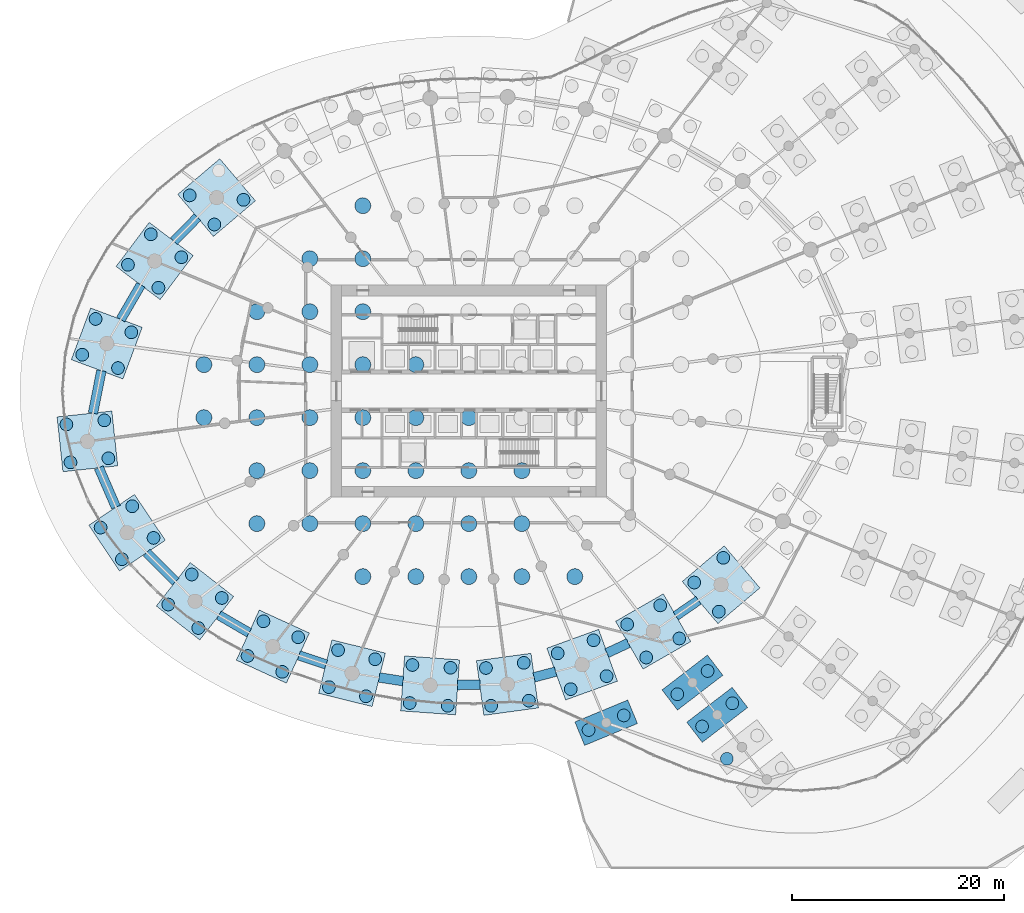
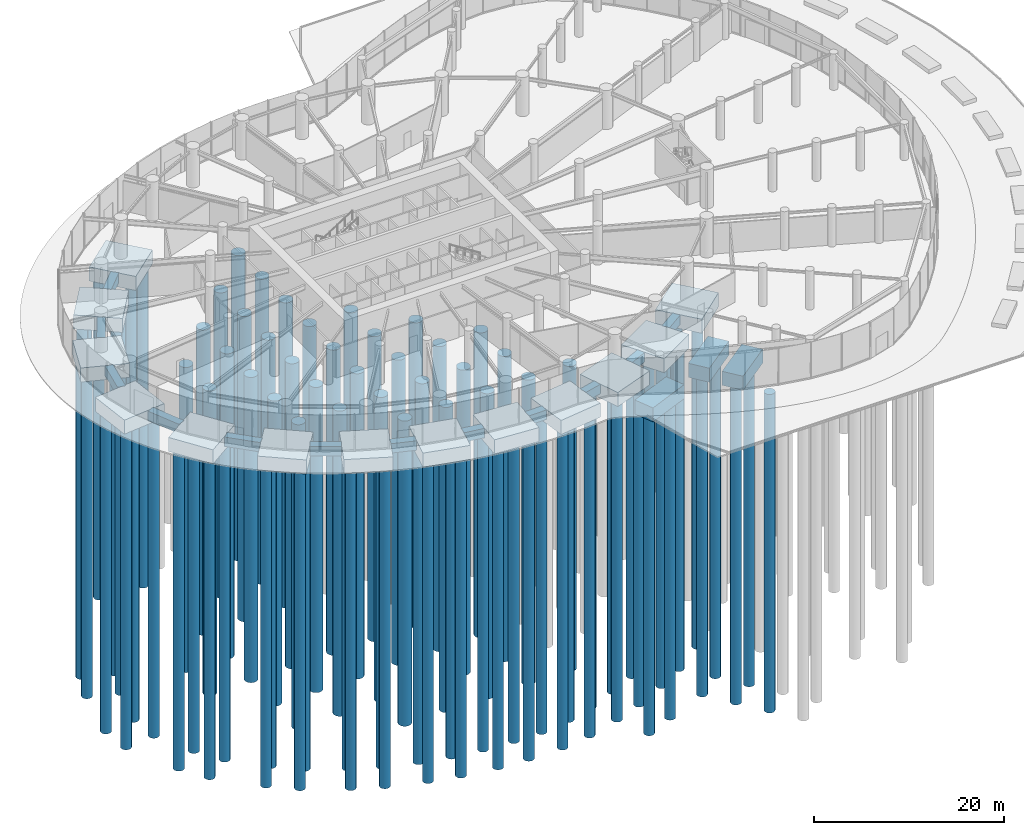
# One storey, part 1 of 28: 91 piles, 28 footings.
"""IFC4 building model written with IfcOpenShell, lengths in metres."""

from ifc_helpers import new_model, si_unit, direction, frame, origin, origin_2d, place, context, subcontext, project, spatial, line, indexed_curve, rectangle, circle, outline, extrude, source, transform, mapped, material, layer, layer_set, material_profile, profile_set, type_object, element, save


model = new_model("IFC4")

# Units and contexts
model_context = context("Model", 3, precision=1e-05, world=origin(), true_north=direction((0.0, 1.0)))
body_context = subcontext(model_context, "Body", "Model", "MODEL_VIEW")
ifc_project = project(units=[si_unit("LENGTHUNIT", "METRE"), si_unit("AREAUNIT", "SQUARE_METRE"), si_unit("VOLUMEUNIT", "CUBIC_METRE"), si_unit("PLANEANGLEUNIT", "RADIAN"), si_unit("MASSUNIT", "GRAM", prefix="KILO")], contexts=[model_context])

# Site, building, storey
site_placement = place(None, origin())
site = spatial("IfcSite", under=ifc_project, at=site_placement, CompositionType="ELEMENT")
building_placement = place(site_placement, origin())
building = spatial("IfcBuilding", under=site, at=building_placement, Name="Spindrift Exchange Tower", CompositionType="ELEMENT")
storey_placement = place(building_placement, origin())
storey = spatial("IfcBuildingStorey", under=building, at=storey_placement, Name="L00", CompositionType="ELEMENT", Elevation=0.0)

# Footings
ifc_material_1 = material(Name="Concrete 50 MPa", Category="concrete")
ifc_layer_1 = layer(ifc_material_1, 1.800048828125)
ifc_layer_set_1 = layer_set([ifc_layer_1], Name="Cascade Pile Cap Concrete 50 MPa")
footing_type_1 = type_object("IfcFootingType", Name="Cascade Pile Cap Concrete 50 MPa", PredefinedType="PILE_CAP", material=ifc_layer_set_1)
footing_1_placement = place(storey_placement, frame((0.0, 0.0, -2.14990234375)))
element("IfcFooting", 1, at=footing_1_placement, inside=storey, type_object=footing_type_1, Name="Pile cap G0-20", PredefinedType="PILE_CAP", context=body_context, shape_type="SweptSolid", body=[
    extrude(outline(indexed_curve([(62.0048828125, 16.7919921875), (66.9931640625, 18.8583984375), (67.912109375, 16.640625), (62.9228515625, 14.57421875)], segments=[line(1, 2, 3, 4, 1)], self_intersect=False)), origin(), (0.0, 0.0, 1.0), 1.7998046875),
])
footing_2_placement = place(storey_placement, frame((0.0, 0.0, -2.14990234375)))
element("IfcFooting", 2, at=footing_2_placement, inside=storey, type_object=footing_type_1, Name="Pile cap G2-21", PredefinedType="PILE_CAP", context=body_context, shape_type="SweptSolid", body=[
    extrude(outline(indexed_curve([(72.5634765625, 16.765625), (76.84765625, 20.052734375), (78.30859375, 18.1484375), (74.0244140625, 14.861328125)], segments=[line(1, 2, 3, 4, 1)], self_intersect=False)), origin(), (0.0, 0.0, 1.0), 1.7998046875),
])
footing_3_placement = place(storey_placement, frame((0.0, 0.0, -2.14990234375)))
element("IfcFooting", 3, at=footing_3_placement, inside=storey, type_object=footing_type_1, Name="Pile cap G3-21", PredefinedType="PILE_CAP", context=body_context, shape_type="SweptSolid", body=[
    extrude(outline(indexed_curve([(70.2265625, 19.810546875), (74.5107421875, 23.0986328125), (75.9716796875, 21.1943359375), (71.6884765625, 17.9072265625)], segments=[line(1, 2, 3, 4, 1)], self_intersect=False)), origin(), (0.0, 0.0, 1.0), 1.7998046875),
])
ifc_layer_2 = layer(ifc_material_1, 1.800048828125)
ifc_layer_set_2 = layer_set([ifc_layer_2], Name="Pile Cap Concrete 50 MPa")
footing_type_2 = type_object("IfcFootingType", Name="Pile Cap Concrete 50 MPa", PredefinedType="PILE_CAP", material=ifc_layer_set_2)
footing_4_placement = place(storey_placement, frame((0.0, 0.0, -2.14990234375)))
element("IfcFooting", 4, at=footing_4_placement, inside=storey, type_object=footing_type_2, Name="Pile cap P1-10", PredefinedType="PILE_CAP", context=body_context, shape_type="SweptSolid", body=[
    extrude(outline(indexed_curve([(28.5, 69.927734375), (24.53515625, 66.5634765625), (27.8994140625, 62.59765625), (31.8642578125, 65.962890625)], segments=[line(1, 2, 3, 4, 1)], self_intersect=False)), origin(), (0.0, 0.0, 1.0), 1.7998046875),
])
footing_5_placement = place(storey_placement, frame((0.0, 0.0, -2.14990234375)))
element("IfcFooting", 5, at=footing_5_placement, inside=storey, type_object=footing_type_2, Name="Pile cap P1-11", PredefinedType="PILE_CAP", context=body_context, shape_type="SweptSolid", body=[
    extrude(outline(indexed_curve([(21.841796875, 63.919921875), (18.71484375, 59.765625), (22.869140625, 56.638671875), (25.99609375, 60.79296875)], segments=[line(1, 2, 3, 4, 1)], self_intersect=False)), origin(), (0.0, 0.0, 1.0), 1.7998046875),
])
footing_6_placement = place(storey_placement, frame((0.0, 0.0, -2.14990234375)))
element("IfcFooting", 6, at=footing_6_placement, inside=storey, type_object=footing_type_2, Name="Pile cap P1-12", PredefinedType="PILE_CAP", context=body_context, shape_type="SweptSolid", body=[
    extrude(outline(indexed_curve([(16.3115234375, 55.841796875), (14.494140625, 50.9697265625), (19.3662109375, 49.15234375), (21.18359375, 54.025390625)], segments=[line(1, 2, 3, 4, 1)], self_intersect=False)), origin(), (0.0, 0.0, 1.0), 1.7998046875),
])
footing_7_placement = place(storey_placement, frame((0.0, 0.0, -2.14990234375)))
element("IfcFooting", 7, at=footing_7_placement, inside=storey, type_object=footing_type_2, Name="Pile cap P1-13", PredefinedType="PILE_CAP", context=body_context, shape_type="SweptSolid", body=[
    extrude(outline(indexed_curve([(13.1474609375, 45.5703125), (13.701171875, 40.3994140625), (18.8720703125, 40.953125), (18.318359375, 46.1240234375)], segments=[line(1, 2, 3, 4, 1)], self_intersect=False)), origin(), (0.0, 0.0, 1.0), 1.7998046875),
])
footing_8_placement = place(storey_placement, frame((0.0, 0.0, -2.14990234375)))
element("IfcFooting", 8, at=footing_8_placement, inside=storey, type_object=footing_type_2, Name="Pile cap P1-14", PredefinedType="PILE_CAP", context=body_context, shape_type="SweptSolid", body=[
    extrude(outline(indexed_curve([(16.142578125, 35.34765625), (19.0458984375, 31.033203125), (23.359375, 33.9365234375), (20.4560546875, 38.2509765625)], segments=[line(1, 2, 3, 4, 1)], self_intersect=False)), origin(), (0.0, 0.0, 1.0), 1.7998046875),
])
footing_9_placement = place(storey_placement, frame((0.0, 0.0, -2.14990234375)))
element("IfcFooting", 9, at=footing_9_placement, inside=storey, type_object=footing_type_2, Name="Pile cap P1-15", PredefinedType="PILE_CAP", context=body_context, shape_type="SweptSolid", body=[
    extrude(outline(indexed_curve([(22.5146484375, 27.7265625), (26.61328125, 24.5263671875), (29.8134765625, 28.625), (25.71484375, 31.8251953125)], segments=[line(1, 2, 3, 4, 1)], self_intersect=False)), origin(), (0.0, 0.0, 1.0), 1.7998046875),
])
footing_10_placement = place(storey_placement, frame((0.0, 0.0, -2.14990234375)))
element("IfcFooting", 10, at=footing_10_placement, inside=storey, type_object=footing_type_2, Name="Pile cap P1-16", PredefinedType="PILE_CAP", context=body_context, shape_type="SweptSolid", body=[
    extrude(outline(indexed_curve([(30.060546875, 22.619140625), (34.7880859375, 20.453125), (36.9541015625, 25.1806640625), (32.2265625, 27.3466796875)], segments=[line(1, 2, 3, 4, 1)], self_intersect=False)), origin(), (0.0, 0.0, 1.0), 1.7998046875),
])
footing_11_placement = place(storey_placement, frame((0.0, 0.0, -2.14990234375)))
element("IfcFooting", 11, at=footing_11_placement, inside=storey, type_object=footing_type_2, Name="Pile cap P1-17", PredefinedType="PILE_CAP", context=body_context, shape_type="SweptSolid", body=[
    extrude(outline(indexed_curve([(37.830078125, 19.4873046875), (42.87890625, 18.2412109375), (44.1240234375, 23.2900390625), (39.076171875, 24.5361328125)], segments=[line(1, 2, 3, 4, 1)], self_intersect=False)), origin(), (0.0, 0.0, 1.0), 1.7998046875),
])
footing_12_placement = place(storey_placement, frame((0.0, 0.0, -2.14990234375)))
element("IfcFooting", 12, at=footing_12_placement, inside=storey, type_object=footing_type_2, Name="Pile cap P1-18", PredefinedType="PILE_CAP", context=body_context, shape_type="SweptSolid", body=[
    extrude(outline(indexed_curve([(45.56640625, 17.8310546875), (50.7529296875, 17.4599609375), (51.1240234375, 22.646484375), (45.9375, 23.017578125)], segments=[line(1, 2, 3, 4, 1)], self_intersect=False)), origin(), (0.0, 0.0, 1.0), 1.7998046875),
])
footing_13_placement = place(storey_placement, frame((0.0, 0.0, -2.14990234375)))
element("IfcFooting", 13, at=footing_13_placement, inside=storey, type_object=footing_type_2, Name="Pile cap P1-19", PredefinedType="PILE_CAP", context=body_context, shape_type="SweptSolid", body=[
    extrude(outline(indexed_curve([(53.416015625, 17.412109375), (58.568359375, 18.11328125), (57.8671875, 23.265625), (52.71484375, 22.564453125)], segments=[line(1, 2, 3, 4, 1)], self_intersect=False)), origin(), (0.0, 0.0, 1.0), 1.7998046875),
])
footing_14_placement = place(storey_placement, frame((0.0, 0.0, -2.14990234375)))
element("IfcFooting", 14, at=footing_14_placement, inside=storey, type_object=footing_type_2, Name="Pile cap P1-20", PredefinedType="PILE_CAP", context=body_context, shape_type="SweptSolid", body=[
    extrude(outline(indexed_curve([(61.1328125, 18.8603515625), (66.021484375, 20.6337890625), (64.248046875, 25.5224609375), (59.359375, 23.7490234375)], segments=[line(1, 2, 3, 4, 1)], self_intersect=False)), origin(), (0.0, 0.0, 1.0), 1.7998046875),
])
footing_15_placement = place(storey_placement, frame((0.0, 0.0, -2.14990234375)))
element("IfcFooting", 15, at=footing_15_placement, inside=storey, type_object=footing_type_2, Name="Pile cap P1-21", PredefinedType="PILE_CAP", context=body_context, shape_type="SweptSolid", body=[
    extrude(outline(indexed_curve([(68.4404296875, 21.7783203125), (72.947265625, 24.3720703125), (70.3525390625, 28.87890625), (65.8466796875, 26.28515625)], segments=[line(1, 2, 3, 4, 1)], self_intersect=False)), origin(), (0.0, 0.0, 1.0), 1.7998046875),
])
footing_16_placement = place(storey_placement, frame((0.0, 0.0, -2.14990234375)))
element("IfcFooting", 16, at=footing_16_placement, inside=storey, type_object=footing_type_2, Name="Pile cap P1-22", PredefinedType="PILE_CAP", context=body_context, shape_type="SweptSolid", body=[
    extrude(outline(indexed_curve([(75.5, 26.072265625), (79.46484375, 29.4365234375), (76.1005859375, 33.40234375), (72.1357421875, 30.037109375)], segments=[line(1, 2, 3, 4, 1)], self_intersect=False)), origin(), (0.0, 0.0, 1.0), 1.7998046875),
])

# Piles
ifc_material_2 = material(Name="Concrete 40 MPa", Category="concrete")
ifc_material_profile_1 = material_profile(ifc_material_2, circle(Radius=0.75, at=origin_2d()), Name="BP D1500")
ifc_profile_set_1 = profile_set([ifc_material_profile_1], Name="Concrete 40 MPa")
pile_type_1 = type_object("IfcPileType", Name="Bored Pile D1500 Concrete 40 MPa", PredefinedType="BORED", material=ifc_profile_set_1)
shared_shape_1 = source(origin(), body_context, "Body", "SweptSolid", [
    extrude(circle(Radius=0.75, at=origin_2d()), origin(), (0.0, 0.0, 1.0), 39.14990234375),
])
for number, where, z_axis, x_axis, name in (
    (17, (27.0, 45.5, -3.85009765625), (0.0, 0.0, -1.0), (1.0, 0.0, 0.0), "Bored pile R001"),
    (18, (27.0, 50.5, -3.85009765625), (0.0, 0.0, -1.0), (1.0, 0.0, 0.0), "Bored pile R002"),
    (19, (32.0, 35.5, -3.85009765625), (0.0, 0.0, -1.0), (1.0, 0.0, 0.0), "Bored pile R003"),
    (20, (32.0, 40.5, -3.85009765625), (0.0, 0.0, -1.0), (1.0, 0.0, 0.0), "Bored pile R004"),
    (21, (32.0, 45.5, -3.85009765625), (0.0, 0.0, -1.0), (1.0, 0.0, 0.0), "Bored pile R005"),
    (22, (32.0, 50.5, -3.85009765625), (0.0, 0.0, -1.0), (1.0, 0.0, 0.0), "Bored pile R006"),
    (23, (32.0, 55.5, -3.85009765625), (0.0, 0.0, -1.0), (1.0, 0.0, 0.0), "Bored pile R007"),
    (24, (37.0, 35.5, -3.85009765625), (0.0, 0.0, -1.0), (1.0, 0.0, 0.0), "Bored pile R008"),
    (25, (37.0, 40.5, -3.85009765625), (0.0, 0.0, -1.0), (1.0, 0.0, 0.0), "Bored pile R009"),
    (26, (37.0, 45.5, -3.85009765625), (0.0, 0.0, -1.0), (1.0, 0.0, 0.0), "Bored pile R010"),
    (27, (37.0, 50.5, -3.85009765625), (0.0, 0.0, -1.0), (1.0, 0.0, 0.0), "Bored pile R011"),
    (28, (37.0, 55.5, -3.85009765625), (0.0, 0.0, -1.0), (1.0, 0.0, 0.0), "Bored pile R012"),
    (29, (37.0, 60.5, -3.85009765625), (0.0, 0.0, -1.0), (1.0, 0.0, 0.0), "Bored pile R013"),
    (30, (42.0, 30.5, -3.85009765625), (0.0, 0.0, -1.0), (1.0, 0.0, 0.0), "Bored pile R014"),
    (31, (42.0, 35.5, -3.85009765625), (0.0, 0.0, -1.0), (1.0, 0.0, 0.0), "Bored pile R015"),
    (32, (42.0, 40.5, -3.85009765625), (0.0, 0.0, -1.0), (1.0, 0.0, 0.0), "Bored pile R016"),
    (33, (42.0, 45.5, -3.85009765625), (0.0, 0.0, -1.0), (1.0, 0.0, 0.0), "Bored pile R017"),
    (34, (42.0, 50.5, -3.85009765625), (0.0, 0.0, -1.0), (1.0, 0.0, 0.0), "Bored pile R018"),
    (35, (42.0, 55.5, -3.85009765625), (0.0, 0.0, -1.0), (1.0, 0.0, 0.0), "Bored pile R019"),
    (36, (42.0, 60.5, -3.85009765625), (0.0, 0.0, -1.0), (1.0, 0.0, 0.0), "Bored pile R020"),
    (37, (42.0, 65.5, -3.85009765625), (0.0, 0.0, -1.0), (1.0, 0.0, 0.0), "Bored pile R021"),
    (38, (47.0, 30.5, -3.85009765625), (0.0, 0.0, -1.0), (1.0, 0.0, 0.0), "Bored pile R022"),
    (39, (47.0, 35.5, -3.85009765625), (0.0, 0.0, -1.0), (1.0, 0.0, 0.0), "Bored pile R023"),
    (40, (47.0, 40.5, -3.85009765625), (0.0, 0.0, -1.0), (1.0, 0.0, 0.0), "Bored pile R024"),
    (41, (47.0, 45.5, -3.85009765625), (0.0, 0.0, -1.0), (1.0, 0.0, 0.0), "Bored pile R025"),
    (42, (47.0, 50.5, -3.85009765625), (0.0, 0.0, -1.0), (1.0, 0.0, 0.0), "Bored pile R026"),
    (43, (52.0, 30.5, -3.85009765625), (0.0, 0.0, -1.0), (1.0, 0.0, 0.0), "Bored pile R030"),
    (44, (52.0, 35.5, -3.85009765625), (0.0, 0.0, -1.0), (1.0, 0.0, 0.0), "Bored pile R031"),
    (45, (52.0, 40.5, -3.85009765625), (0.0, 0.0, -1.0), (1.0, 0.0, 0.0), "Bored pile R032"),
    (46, (52.0, 45.5, -3.85009765625), (0.0, 0.0, -1.0), (1.0, 0.0, 0.0), "Bored pile R033"),
    (47, (57.0, 30.5, -3.85009765625), (0.0, 0.0, -1.0), (1.0, 0.0, 0.0), "Bored pile R038"),
    (48, (57.0, 35.5, -3.85009765625), (0.0, 0.0, -1.0), (1.0, 0.0, 0.0), "Bored pile R039"),
    (49, (57.0, 40.5, -3.85009765625), (0.0, 0.0, -1.0), (1.0, 0.0, 0.0), "Bored pile R040"),
    (50, (62.0, 30.5, -3.85009765625), (0.0, 0.0, -1.0), (1.0, 0.0, 0.0), "Bored pile R046"),
):
    element("IfcPile", number, at=place(storey_placement, frame(where, z_axis=z_axis, x_axis=x_axis)), inside=storey, type_object=pile_type_1, Name=name, PredefinedType="BORED", context=body_context, shape_type="MappedRepresentation", body=[
        mapped(shared_shape_1, transform((0.0, 0.0, 0.0), scale=1.0)),
    ])
ifc_material_profile_2 = material_profile(ifc_material_2, circle(Radius=0.60009765625, at=origin_2d()), Name="BP D1200")
ifc_profile_set_2 = profile_set([ifc_material_profile_2], Name="Concrete 40 MPa")
pile_type_2 = type_object("IfcPileType", Name="Bored Pile D1200 Concrete 40 MPa", PredefinedType="BORED", material=ifc_profile_set_2)
shared_shape_2 = source(origin(), body_context, "Body", "SweptSolid", [
    extrude(circle(Radius=0.60009765625, at=origin_2d()), origin(), (0.0, 0.0, 1.0), 40.85009765625),
])
for number, where, z_axis, x_axis, name in (
    (51, (25.662353515625, 66.470703125, -2.14990234375), (0.0, 0.0, -1.0), (1.0, 0.0, 0.0), "Bored pile P1-10-2"),
    (52, (27.991455078125, 63.7255859375, -2.14990234375), (0.0, 0.0, -1.0), (1.0, 0.0, 0.0), "Bored pile P1-10-3"),
    (53, (30.736572265625, 66.054931640625, -2.14990234375), (0.0, 0.0, -1.0), (1.0, 0.0, 0.0), "Bored pile P1-10-4"),
    (54, (21.999755859375, 62.7998046875, -2.14990234375), (0.0, 0.0, -1.0), (1.0, 0.0, 0.0), "Bored pile P1-11-1"),
    (55, (19.8349609375, 59.923583984375, -2.14990234375), (0.0, 0.0, -1.0), (1.0, 0.0, 0.0), "Bored pile P1-11-2"),
    (56, (22.711181640625, 57.758544921875, -2.14990234375), (0.0, 0.0, -1.0), (1.0, 0.0, 0.0), "Bored pile P1-11-3"),
    (57, (24.876220703125, 60.635009765625, -2.14990234375), (0.0, 0.0, -1.0), (1.0, 0.0, 0.0), "Bored pile P1-11-4"),
    (58, (16.78125, 54.81298828125, -2.14990234375), (0.0, 0.0, -1.0), (1.0, 0.0, 0.0), "Bored pile P1-12-1"),
    (59, (15.523193359375, 51.439697265625, -2.14990234375), (0.0, 0.0, -1.0), (1.0, 0.0, 0.0), "Bored pile P1-12-2"),
    (60, (18.896484375, 50.181884765625, -2.14990234375), (0.0, 0.0, -1.0), (1.0, 0.0, 0.0), "Bored pile P1-12-3"),
    (61, (20.154296875, 53.554931640625, -2.14990234375), (0.0, 0.0, -1.0), (1.0, 0.0, 0.0), "Bored pile P1-12-4"),
    (62, (14.0283203125, 44.85986328125, -2.14990234375), (0.0, 0.0, -1.0), (1.0, 0.0, 0.0), "Bored pile P1-13-1"),
    (63, (14.41162109375, 41.280517578125, -2.14990234375), (0.0, 0.0, -1.0), (1.0, 0.0, 0.0), "Bored pile P1-13-2"),
    (64, (17.990966796875, 41.663818359375, -2.14990234375), (0.0, 0.0, -1.0), (1.0, 0.0, 0.0), "Bored pile P1-13-3"),
    (65, (17.607666015625, 45.2431640625, -2.14990234375), (0.0, 0.0, -1.0), (1.0, 0.0, 0.0), "Bored pile P1-13-4"),
    (66, (17.252685546875, 35.130126953125, -2.14990234375), (0.0, 0.0, -1.0), (1.0, 0.0, 0.0), "Bored pile P1-14-1"),
    (67, (19.262939453125, 32.143798828125, -2.14990234375), (0.0, 0.0, -1.0), (1.0, 0.0, 0.0), "Bored pile P1-14-2"),
    (68, (22.24951171875, 34.154052734375, -2.14990234375), (0.0, 0.0, -1.0), (1.0, 0.0, 0.0), "Bored pile P1-14-3"),
    (69, (20.2392578125, 37.140380859375, -2.14990234375), (0.0, 0.0, -1.0), (1.0, 0.0, 0.0), "Bored pile P1-14-4"),
    (70, (23.637939453125, 27.86474609375, -2.14990234375), (0.0, 0.0, -1.0), (1.0, 0.0, 0.0), "Bored pile P1-15-1"),
    (71, (26.475341796875, 25.649169921875, -2.14990234375), (0.0, 0.0, -1.0), (1.0, 0.0, 0.0), "Bored pile P1-15-2"),
    (72, (28.69091796875, 28.486572265625, -2.14990234375), (0.0, 0.0, -1.0), (1.0, 0.0, 0.0), "Bored pile P1-15-3"),
    (73, (25.853515625, 30.7021484375, -2.14990234375), (0.0, 0.0, -1.0), (1.0, 0.0, 0.0), "Bored pile P1-15-4"),
    (74, (31.12158203125, 23.013671875, -2.14990234375), (0.0, 0.0, -1.0), (1.0, 0.0, 0.0), "Bored pile P1-16-1"),
    (75, (34.394287109375, 21.51416015625, -2.14990234375), (0.0, 0.0, -1.0), (1.0, 0.0, 0.0), "Bored pile P1-16-2"),
    (76, (35.893798828125, 24.786865234375, -2.14990234375), (0.0, 0.0, -1.0), (1.0, 0.0, 0.0), "Bored pile P1-16-3"),
    (77, (32.62109375, 26.28662109375, -2.14990234375), (0.0, 0.0, -1.0), (1.0, 0.0, 0.0), "Bored pile P1-16-4"),
    (78, (38.79833984375, 20.072265625, -2.14990234375), (0.0, 0.0, -1.0), (1.0, 0.0, 0.0), "Bored pile P1-17-1"),
    (79, (42.29345703125, 19.209716796875, -2.14990234375), (0.0, 0.0, -1.0), (1.0, 0.0, 0.0), "Bored pile P1-17-2"),
    (80, (43.156005859375, 22.704833984375, -2.14990234375), (0.0, 0.0, -1.0), (1.0, 0.0, 0.0), "Bored pile P1-17-3"),
    (81, (39.660888671875, 23.5673828125, -2.14990234375), (0.0, 0.0, -1.0), (1.0, 0.0, 0.0), "Bored pile P1-17-4"),
    (82, (46.421142578125, 18.57177734375, -2.14990234375), (0.0, 0.0, -1.0), (1.0, 0.0, 0.0), "Bored pile P1-18-1"),
    (83, (50.011962890625, 18.314697265625, -2.14990234375), (0.0, 0.0, -1.0), (1.0, 0.0, 0.0), "Bored pile P1-18-2"),
    (84, (50.26904296875, 21.905517578125, -2.14990234375), (0.0, 0.0, -1.0), (1.0, 0.0, 0.0), "Bored pile P1-18-3"),
    (85, (46.67822265625, 22.16259765625, -2.14990234375), (0.0, 0.0, -1.0), (1.0, 0.0, 0.0), "Bored pile P1-18-4"),
    (86, (54.100830078125, 18.3125, -2.14990234375), (0.0, 0.0, -1.0), (1.0, 0.0, 0.0), "Bored pile P1-19-1"),
    (87, (57.66796875, 18.7978515625, -2.14990234375), (0.0, 0.0, -1.0), (1.0, 0.0, 0.0), "Bored pile P1-19-2"),
    (88, (57.1826171875, 22.364990234375, -2.14990234375), (0.0, 0.0, -1.0), (1.0, 0.0, 0.0), "Bored pile P1-19-3"),
    (89, (53.615478515625, 21.87939453125, -2.14990234375), (0.0, 0.0, -1.0), (1.0, 0.0, 0.0), "Bored pile P1-19-4"),
    (90, (61.612060546875, 19.885498046875, -2.14990234375), (0.0, 0.0, -1.0), (1.0, 0.0, 0.0), "Bored pile P1-20-1"),
    (91, (64.99609375, 21.113037109375, -2.14990234375), (0.0, 0.0, -1.0), (1.0, 0.0, 0.0), "Bored pile P1-20-2"),
    (92, (63.7685546875, 24.497314453125, -2.14990234375), (0.0, 0.0, -1.0), (1.0, 0.0, 0.0), "Bored pile P1-20-3"),
    (93, (60.384521484375, 23.269775390625, -2.14990234375), (0.0, 0.0, -1.0), (1.0, 0.0, 0.0), "Bored pile P1-20-4"),
    (94, (68.734619140625, 22.870361328125, -2.14990234375), (0.0, 0.0, -1.0), (1.0, 0.0, 0.0), "Bored pile P1-21-1"),
    (95, (71.8544921875, 24.666259765625, -2.14990234375), (0.0, 0.0, -1.0), (1.0, 0.0, 0.0), "Bored pile P1-21-2"),
    (96, (70.05859375, 27.786376953125, -2.14990234375), (0.0, 0.0, -1.0), (1.0, 0.0, 0.0), "Bored pile P1-21-3"),
    (97, (66.938720703125, 25.990478515625, -2.14990234375), (0.0, 0.0, -1.0), (1.0, 0.0, 0.0), "Bored pile P1-21-4"),
    (98, (75.5927734375, 27.2001953125, -2.14990234375), (0.0, 0.0, -1.0), (1.0, 0.0, 0.0), "Bored pile P1-22-1"),
    (99, (76.008544921875, 32.2744140625, -2.14990234375), (0.0, 0.0, -1.0), (1.0, 0.0, 0.0), "Bored pile P1-22-3"),
    (100, (73.263427734375, 29.945068359375, -2.14990234375), (0.0, 0.0, -1.0), (1.0, 0.0, 0.0), "Bored pile P1-22-4"),
    (101, (63.295166015625, 16.027587890625, -2.14990234375), (0.0, 0.0, -1.0), (1.0, 0.0, 0.0), "Bored pile G0-20-1"),
    (102, (66.62109375, 17.4052734375, -2.14990234375), (0.0, 0.0, -1.0), (1.0, 0.0, 0.0), "Bored pile G0-20-2"),
    (103, (76.344970703125, 13.316162109375, -2.14990234375), (0.0, 0.0, -1.0), (1.0, 0.0, 0.0), "Bored pile G1-21-1"),
    (104, (74.00830078125, 16.361328125, -2.14990234375), (0.0, 0.0, -1.0), (1.0, 0.0, 0.0), "Bored pile G2-21-1"),
    (105, (76.8642578125, 18.552978515625, -2.14990234375), (0.0, 0.0, -1.0), (1.0, 0.0, 0.0), "Bored pile G2-21-2"),
    (106, (71.67138671875, 19.40673828125, -2.14990234375), (0.0, 0.0, -1.0), (1.0, 0.0, 0.0), "Bored pile G3-21-1"),
    (107, (74.527587890625, 21.598388671875, -2.14990234375), (0.0, 0.0, -1.0), (1.0, 0.0, 0.0), "Bored pile G3-21-2"),
):
    element("IfcPile", number, at=place(storey_placement, frame(where, z_axis=z_axis, x_axis=x_axis)), inside=storey, type_object=pile_type_2, Name=name, PredefinedType="BORED", context=body_context, shape_type="MappedRepresentation", body=[
        mapped(shared_shape_2, transform((0.0, 0.0, 0.0), scale=1.0)),
    ])

# Footings
ifc_material_profile_3 = material_profile(ifc_material_1, rectangle(XDim=0.89990234375, YDim=1.199951171875, at=origin_2d()), Name="RC 900x1200")
ifc_profile_set_3 = profile_set([ifc_material_profile_3], Name="Concrete 50 MPa")
footing_type_3 = type_object("IfcFootingType", Name="Ground Tie Beam Concrete 50 MPa", PredefinedType="FOOTING_BEAM", material=ifc_profile_set_3)
shared_shape_3 = source(origin(), body_context, "Body", "SweptSolid", [
    extrude(rectangle(XDim=0.89990234375, YDim=1.199951171875, at=origin_2d()), origin(), (0.0, 0.0, 1.0), 4.068603515625),
])
footing_17_placement = place(storey_placement, frame((17.086181640625, 40.781494140625, -0.949951171875), z_axis=(0.398195059831, -0.917300765467, 0.0), x_axis=(0.917300765467, 0.398195059831, 0.0)))
element("IfcFooting", 108, at=footing_17_placement, inside=storey, type_object=footing_type_3, Name="Ground tie beam TB13", PredefinedType="FOOTING_BEAM", context=body_context, shape_type="MappedRepresentation", body=[
    mapped(shared_shape_3, transform((0.0, 0.0, 0.0), scale=1.0)),
])
shared_shape_4 = source(origin(), body_context, "Body", "SweptSolid", [
    extrude(rectangle(XDim=0.89990234375, YDim=1.199951171875, at=origin_2d()), origin(), (0.0, 0.0, 1.0), 3.87939453125),
])
footing_18_placement = place(storey_placement, frame((21.60107421875, 32.77685546875, -0.949951171875), z_axis=(0.704174270527, -0.710027180274, 0.0), x_axis=(0.710027180274, 0.704174270527, 0.0)))
element("IfcFooting", 109, at=footing_18_placement, inside=storey, type_object=footing_type_3, Name="Ground tie beam TB14", PredefinedType="FOOTING_BEAM", context=body_context, shape_type="MappedRepresentation", body=[
    mapped(shared_shape_4, transform((0.0, 0.0, 0.0), scale=1.0)),
])
shared_shape_5 = source(origin(), body_context, "Body", "SweptSolid", [
    extrude(rectangle(XDim=0.89990234375, YDim=1.199951171875, at=origin_2d()), origin(), (0.0, 0.0, 1.0), 3.30078125),
])
footing_19_placement = place(storey_placement, frame((28.414794921875, 26.865478515625, -0.949951171875), z_axis=(0.864186373898, -0.503171850533, 0.0), x_axis=(0.503171850533, 0.864186373898, 0.0)))
element("IfcFooting", 110, at=footing_19_placement, inside=storey, type_object=footing_type_3, Name="Ground tie beam TB15", PredefinedType="FOOTING_BEAM", context=body_context, shape_type="MappedRepresentation", body=[
    mapped(shared_shape_5, transform((0.0, 0.0, 0.0), scale=1.0)),
])
shared_shape_6 = source(origin(), body_context, "Body", "SweptSolid", [
    extrude(rectangle(XDim=0.89990234375, YDim=1.199951171875, at=origin_2d()), origin(), (0.0, 0.0, 1.0), 2.697265625),
])
footing_20_placement = place(storey_placement, frame((35.966796875, 23.073486328125, -0.949951171875), z_axis=(0.947829062971, -0.318779025953, 0.0), x_axis=(0.318779025953, 0.947829062971, 0.0)))
element("IfcFooting", 111, at=footing_20_placement, inside=storey, type_object=footing_type_3, Name="Ground tie beam TB16", PredefinedType="FOOTING_BEAM", context=body_context, shape_type="MappedRepresentation", body=[
    mapped(shared_shape_6, transform((0.0, 0.0, 0.0), scale=1.0)),
])
shared_shape_7 = source(origin(), body_context, "Body", "SweptSolid", [
    extrude(rectangle(XDim=0.89990234375, YDim=1.199951171875, at=origin_2d()), origin(), (0.0, 0.0, 1.0), 2.2783203125),
])
footing_21_placement = place(storey_placement, frame((43.5361328125, 20.9892578125, -0.949951171875), z_axis=(0.988038579909, -0.15420688899, 0.0), x_axis=(0.15420688899, 0.988038579909, 0.0)))
element("IfcFooting", 112, at=footing_21_placement, inside=storey, type_object=footing_type_3, Name="Ground tie beam TB17", PredefinedType="FOOTING_BEAM", context=body_context, shape_type="MappedRepresentation", body=[
    mapped(shared_shape_7, transform((0.0, 0.0, 0.0), scale=1.0)),
])
shared_shape_8 = source(origin(), body_context, "Body", "SweptSolid", [
    extrude(rectangle(XDim=0.89990234375, YDim=1.199951171875, at=origin_2d()), origin(), (0.0, 0.0, 1.0), 2.1083984375),
])
footing_22_placement = place(storey_placement, frame((50.934326171875, 20.274169921875, -0.949951171875), z_axis=(0.99990664265, 0.013664039818, 0.0), x_axis=(-0.013664039818, 0.99990664265, 0.0)))
element("IfcFooting", 113, at=footing_22_placement, inside=storey, type_object=footing_type_3, Name="Ground tie beam TB18", PredefinedType="FOOTING_BEAM", context=body_context, shape_type="MappedRepresentation", body=[
    mapped(shared_shape_8, transform((0.0, 0.0, 0.0), scale=1.0)),
])
shared_shape_9 = source(origin(), body_context, "Body", "SweptSolid", [
    extrude(rectangle(XDim=0.89990234375, YDim=1.199951171875, at=origin_2d()), origin(), (0.0, 0.0, 1.0), 2.09765625),
])
footing_23_placement = place(storey_placement, frame((58.15576171875, 20.99951171875, -0.949951171875), z_axis=(0.96715589669, 0.254183932415, 0.0), x_axis=(-0.254183932415, 0.96715589669, 0.0)))
element("IfcFooting", 114, at=footing_23_placement, inside=storey, type_object=footing_type_3, Name="Ground tie beam TB19", PredefinedType="FOOTING_BEAM", context=body_context, shape_type="MappedRepresentation", body=[
    mapped(shared_shape_9, transform((0.0, 0.0, 0.0), scale=1.0)),
])
shared_shape_10 = source(origin(), body_context, "Body", "SweptSolid", [
    extrude(rectangle(XDim=0.89990234375, YDim=1.199951171875, at=origin_2d()), origin(), (0.0, 0.0, 1.0), 2.223876953125),
])
footing_24_placement = place(storey_placement, frame((65.03662109375, 23.2890625, -0.949951171875), z_axis=(0.905823813341, 0.423654598919, 0.0), x_axis=(-0.423654598919, 0.905823813341, 0.0)))
element("IfcFooting", 115, at=footing_24_placement, inside=storey, type_object=footing_type_3, Name="Ground tie beam TB20", PredefinedType="FOOTING_BEAM", context=body_context, shape_type="MappedRepresentation", body=[
    mapped(shared_shape_10, transform((0.0, 0.0, 0.0), scale=1.0)),
])
shared_shape_11 = source(origin(), body_context, "Body", "SweptSolid", [
    extrude(rectangle(XDim=0.89990234375, YDim=1.199951171875, at=origin_2d()), origin(), (0.0, 0.0, 1.0), 2.593017578125),
])
footing_25_placement = place(storey_placement, frame((71.52880859375, 26.796142578125, -0.949951171875), z_axis=(0.823657127419, 0.567088120535, 0.0), x_axis=(-0.567088120535, 0.823657127419, 0.0)))
element("IfcFooting", 116, at=footing_25_placement, inside=storey, type_object=footing_type_3, Name="Ground tie beam TB21", PredefinedType="FOOTING_BEAM", context=body_context, shape_type="MappedRepresentation", body=[
    mapped(shared_shape_11, transform((0.0, 0.0, 0.0), scale=1.0)),
])
shared_shape_12 = source(origin(), body_context, "Body", "SweptSolid", [
    extrude(rectangle(XDim=0.89990234375, YDim=1.199951171875, at=origin_2d()), origin(), (0.0, 0.0, 1.0), 3.171142578125),
])
footing_26_placement = place(storey_placement, frame((26.388916015625, 64.408935546875, -0.949951171875), z_axis=(-0.698743188947, -0.71537259935, 0.0), x_axis=(0.71537259935, -0.698743188947, 0.0)))
element("IfcFooting", 117, at=footing_26_placement, inside=storey, type_object=footing_type_3, Name="Ground tie beam TB10", PredefinedType="FOOTING_BEAM", context=body_context, shape_type="MappedRepresentation", body=[
    mapped(shared_shape_12, transform((0.0, 0.0, 0.0), scale=1.0)),
])
shared_shape_13 = source(origin(), body_context, "Body", "SweptSolid", [
    extrude(rectangle(XDim=0.89990234375, YDim=1.199951171875, at=origin_2d()), origin(), (0.0, 0.0, 1.0), 3.781494140625),
])
footing_27_placement = place(storey_placement, frame((21.051025390625, 58.03173828125, -0.949951171875), z_axis=(-0.501975081713, -0.86488208291, 0.0), x_axis=(0.86488208291, -0.501975081713, 0.0)))
element("IfcFooting", 118, at=footing_27_placement, inside=storey, type_object=footing_type_3, Name="Ground tie beam TB11", PredefinedType="FOOTING_BEAM", context=body_context, shape_type="MappedRepresentation", body=[
    mapped(shared_shape_13, transform((0.0, 0.0, 0.0), scale=1.0)),
])
shared_shape_14 = source(origin(), body_context, "Body", "SweptSolid", [
    extrude(rectangle(XDim=0.89990234375, YDim=1.199951171875, at=origin_2d()), origin(), (0.0, 0.0, 1.0), 4.097412109375),
])
footing_28_placement = place(storey_placement, frame((17.330810546875, 49.93310546875, -0.949951171875), z_axis=(-0.194248010046, -0.98095245073, 0.0), x_axis=(0.98095245073, -0.194248010046, 0.0)))
element("IfcFooting", 119, at=footing_28_placement, inside=storey, type_object=footing_type_3, Name="Ground tie beam TB12", PredefinedType="FOOTING_BEAM", context=body_context, shape_type="MappedRepresentation", body=[
    mapped(shared_shape_14, transform((0.0, 0.0, 0.0), scale=1.0)),
])

save(model, "model.ifc")
